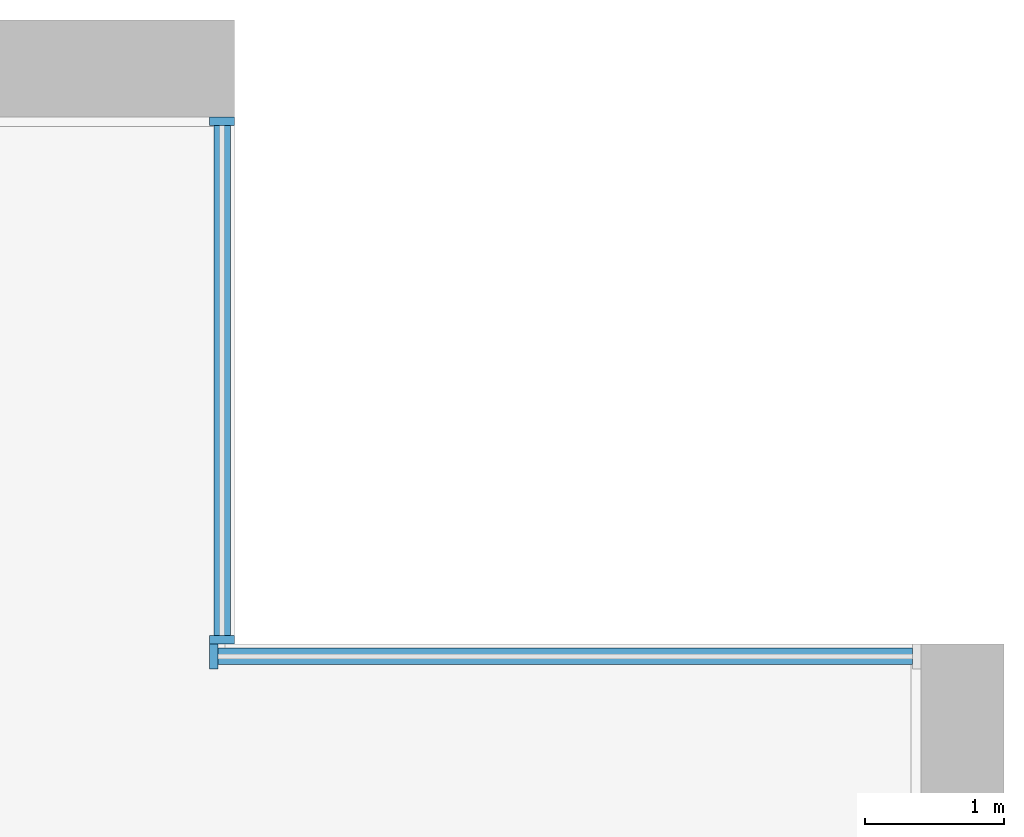
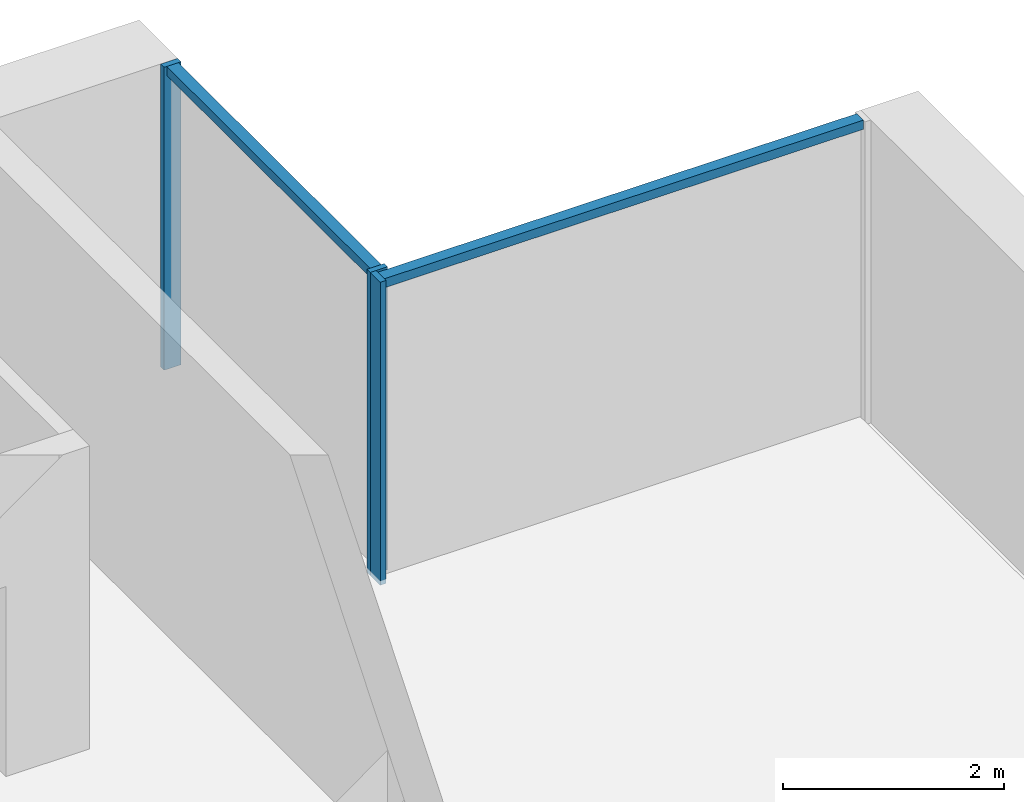
# One storey, part 5 of 16: 5 members, 2 elements without a shape of their own.
"""IFC4 building model written with IfcOpenShell, lengths in metres."""

from ifc_helpers import new_model, si_unit, direction, frame, origin, origin_2d, place, context, subcontext, project, spatial, rectangle, extrude, material, material_profile, profile_set, type_object, element, aggregate, save


model = new_model("IFC4")

# Units and contexts
model_context = context("Model", 3, precision=1e-05, world=origin(), true_north=direction((0.0, 1.0)))
body_context = subcontext(model_context, "Body", "Model", "MODEL_VIEW")
ifc_project = project(units=[si_unit("LENGTHUNIT", "METRE"), si_unit("AREAUNIT", "SQUARE_METRE"), si_unit("VOLUMEUNIT", "CUBIC_METRE"), si_unit("PLANEANGLEUNIT", "RADIAN"), si_unit("MASSUNIT", "GRAM", prefix="KILO")], contexts=[model_context])

# Site, building, storey
site_placement = place(None, origin())
site = spatial("IfcSite", under=ifc_project, at=site_placement, CompositionType="ELEMENT")
building_placement = place(site_placement, origin())
building = spatial("IfcBuilding", under=site, at=building_placement, Name="Calvaro Tower", CompositionType="ELEMENT")
storey_placement = place(building_placement, frame((0.0, 0.0, 178.0)))
storey = spatial("IfcBuildingStorey", under=building, at=storey_placement, Name="L44", CompositionType="ELEMENT", Elevation=178.0)

# Curtain wall, members
ifc_material_1 = material(Name="Anodised aluminium", Category="aluminium")
curtain_wall_type = type_object("IfcCurtainWallType", Name="Office curtain wall, upper zone", PredefinedType="NOTDEFINED", material=ifc_material_1)
curtain_wall_1_placement = place(storey_placement, origin())
curtain_wall_1 = element("IfcCurtainWall", 1, at=curtain_wall_1_placement, inside=storey, type_object=curtain_wall_type, Name="CW3 corner curtain wall", PredefinedType="NOTDEFINED")
ifc_material_2 = material(Name="Anodised aluminium", Category="aluminium")
ifc_material_profile_1 = material_profile(ifc_material_2, rectangle(XDim=0.179931640625, YDim=0.06005859375, at=origin_2d()), Name="Mullion S3 60 x 180")
ifc_profile_set_1 = profile_set([ifc_material_profile_1], Name="Anodised aluminium")
member_type_1 = type_object("IfcMemberType", Name="Mullion S3 60 x 180", PredefinedType="MULLION", material=ifc_profile_set_1)
member_1_placement = place(storey_placement, frame((66.360107421875, 41.530029296875, 0.0), z_axis=(0.0, 0.0, 1.0), x_axis=(-1.0, 0.0, 0.0)))
member_1 = element("IfcMember", 2, at=member_1_placement, type_object=member_type_1, Name="CW3 mullion 1", PredefinedType="MULLION", context=body_context, shape_type="SweptSolid", body=[
    extrude(rectangle(XDim=0.179931640625, YDim=0.06005859375, at=origin_2d()), origin(), (0.0, 0.0, 1.0), 3.35009765625),
])
member_2_placement = place(storey_placement, frame((66.360107421875, 45.27001953125, 0.0), z_axis=(0.0, 0.0, 1.0), x_axis=(-1.0, 0.0, 0.0)))
member_2 = element("IfcMember", 3, at=member_2_placement, type_object=member_type_1, Name="CW3 mullion 2", PredefinedType="MULLION", context=body_context, shape_type="SweptSolid", body=[
    extrude(rectangle(XDim=0.179931640625, YDim=0.06005859375, at=origin_2d()), origin(), (0.0, 0.0, 1.0), 3.35009765625),
])

# Curtain wall, member
curtain_wall_2_placement = place(storey_placement, origin())
curtain_wall_2 = element("IfcCurtainWall", 4, at=curtain_wall_2_placement, inside=storey, type_object=curtain_wall_type, Name="CW3 corner curtain wall", PredefinedType="NOTDEFINED")
member_3_placement = place(storey_placement, frame((66.300048828125, 41.409912109375, 0.0), z_axis=(0.0, 0.0, 1.0), x_axis=(0.0, 1.0, 0.0)))
member_3 = element("IfcMember", 5, at=member_3_placement, type_object=member_type_1, Name="CW3 mullion 1", PredefinedType="MULLION", context=body_context, shape_type="SweptSolid", body=[
    extrude(rectangle(XDim=0.179931640625, YDim=0.06005859375, at=origin_2d()), origin(), (0.0, 0.0, 1.0), 3.35009765625),
])

# Member
ifc_material_3 = material(Name="Anodised aluminium", Category="aluminium")
ifc_material_profile_2 = material_profile(ifc_material_3, rectangle(XDim=0.1201171875, YDim=0.10009765625, at=origin_2d()), Name="Transom S3 100 x 120")
ifc_profile_set_2 = profile_set([ifc_material_profile_2], Name="Anodised aluminium")
member_type_2 = type_object("IfcMemberType", Name="Transom S3 100 x 120", PredefinedType="USERDEFINED", material=ifc_profile_set_2)
member_4_placement = place(storey_placement, frame((66.360107421875, 41.56005859375, 3.300048828125), z_axis=(0.0, 1.0, 0.0), x_axis=(-1.0, 0.0, 0.0)))
member_4 = element("IfcMember", 6, at=member_4_placement, type_object=member_type_2, Name="CW3 transom 1.1", ObjectType="TRANSOM", PredefinedType="USERDEFINED", context=body_context, shape_type="SweptSolid", body=[
    extrude(rectangle(XDim=0.1201171875, YDim=0.10009765625, at=origin_2d()), origin(), (0.0, 0.0, 1.0), 3.679931640625),
])

aggregate(curtain_wall_1, [member_1, member_2, member_4])

member_5_placement = place(storey_placement, frame((66.330078125, 41.409912109375, 3.300048828125), z_axis=(1.0, 0.0, 0.0), x_axis=(0.0, 1.0, 0.0)))
member_5 = element("IfcMember", 7, at=member_5_placement, type_object=member_type_2, Name="CW3 transom 1.1", ObjectType="TRANSOM", PredefinedType="USERDEFINED", context=body_context, shape_type="SweptSolid", body=[
    extrude(rectangle(XDim=0.1201171875, YDim=0.10009765625, at=origin_2d()), origin(), (0.0, 0.0, 1.0), 5.010009765625),
])

aggregate(curtain_wall_2, [member_3, member_5])

save(model, "model.ifc")
